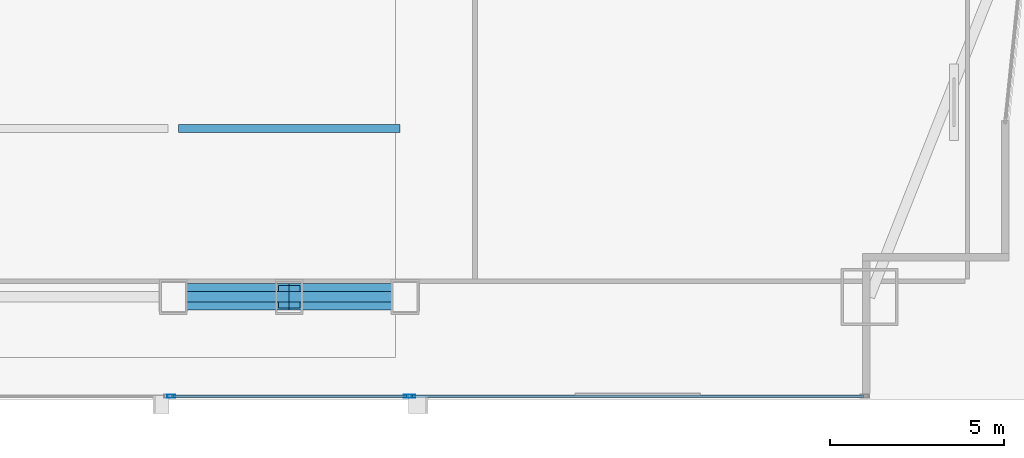
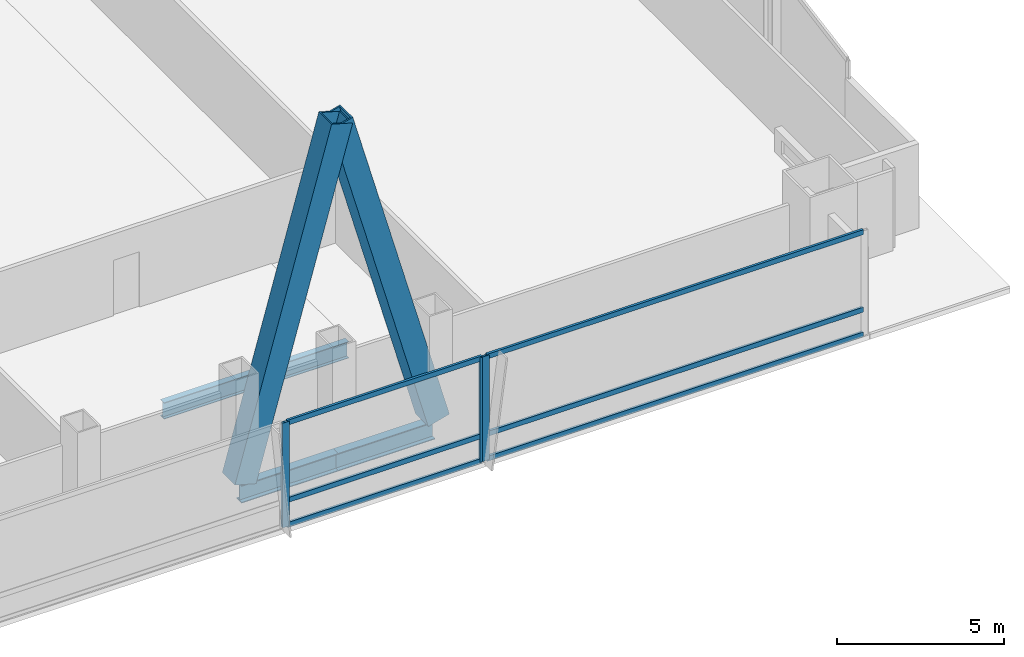
# One storey, part 14 of 35: 11 members, 3 beams, 2 elements without a shape of their own.
"""IFC4 building model written with IfcOpenShell, lengths in metres."""

from ifc_helpers import new_model, si_unit, direction, frame, origin, origin_2d, place, context, subcontext, project, spatial, hollow_rectangle, i_section, extrude, material, material_profile, profile_set, type_object, element, aggregate, save


model = new_model("IFC4")

# Units and contexts
model_context = context("Model", 3, precision=1e-05, world=origin(), true_north=direction((0.0, 1.0)))
body_context = subcontext(model_context, "Body", "Model", "MODEL_VIEW")
ifc_project = project(units=[si_unit("LENGTHUNIT", "METRE"), si_unit("AREAUNIT", "SQUARE_METRE"), si_unit("VOLUMEUNIT", "CUBIC_METRE"), si_unit("PLANEANGLEUNIT", "RADIAN"), si_unit("MASSUNIT", "GRAM", prefix="KILO")], contexts=[model_context])

# Site, building, storey
site_placement = place(None, origin())
site = spatial("IfcSite", under=ifc_project, at=site_placement, CompositionType="ELEMENT")
building_placement = place(site_placement, origin())
building = spatial("IfcBuilding", under=site, at=building_placement, Name="Khoronbel Lancet Exchange", CompositionType="ELEMENT")
storey_placement = place(building_placement, frame((0.0, 0.0, 25.800048828125)))
storey = spatial("IfcBuildingStorey", under=building, at=storey_placement, Name="L05", CompositionType="ELEMENT", Elevation=25.800048828125)

# Beams
ifc_material_1 = material(Name="Steel S355", Category="steel")
ifc_material_profile_1 = material_profile(ifc_material_1, i_section(OverallWidth=0.219970703125, OverallDepth=0.60009765625, WebThickness=0.011962890625, FlangeThickness=0.01904296875, at=origin_2d()), Name="IPE 600")
ifc_profile_set_1 = profile_set([ifc_material_profile_1], Name="Steel S355")
beam_type_1 = type_object("IfcBeamType", Name="BM-BJ1", PredefinedType="JOIST", material=ifc_profile_set_1)
beam_1_placement = place(storey_placement, frame((48.14990234375, 15.0, -0.47998046875), z_axis=(1.0, 0.0, 0.0), x_axis=(0.0, 1.0, 0.0)))
element("IfcBeam", 1, at=beam_1_placement, inside=storey, type_object=beam_type_1, Name="Level L05 secondary composite joist J05", PredefinedType="JOIST", context=body_context, shape_type="SweptSolid", body=[
    extrude(i_section(OverallWidth=0.219970703125, OverallDepth=0.60009765625, WebThickness=0.011962890625, FlangeThickness=0.01904296875, at=origin_2d()), origin(), (0.0, 0.0, 1.0), 6.375),
])
ifc_material_profile_2 = material_profile(ifc_material_1, i_section(OverallWidth=0.300048828125, OverallDepth=0.64990234375, WebThickness=0.01611328125, FlangeThickness=0.031005859375, at=origin_2d()), Name="HEB 650")
ifc_profile_set_2 = profile_set([ifc_material_profile_2], Name="Steel S355")
beam_type_2 = type_object("IfcBeamType", Name="BM-BSP1", PredefinedType="SPANDREL", material=ifc_profile_set_2)
beam_2_placement = place(storey_placement, frame((48.0, 10.14990234375, -0.505126953125), z_axis=(1.0, 0.0, 0.0), x_axis=(0.0, 1.0, 0.0)))
element("IfcBeam", 2, at=beam_2_placement, inside=storey, type_object=beam_type_2, Name="Level L05 perimeter spandrel beam SP06", PredefinedType="SPANDREL", context=body_context, shape_type="SweptSolid", body=[
    extrude(i_section(OverallWidth=0.300048828125, OverallDepth=0.64990234375, WebThickness=0.01611328125, FlangeThickness=0.031005859375, at=origin_2d()), origin(), (0.0, 0.0, 1.0), 3.33740234375),
])
beam_3_placement = place(storey_placement, frame((51.33740234375, 10.14990234375, -0.505126953125), z_axis=(1.0, 0.0, 0.0), x_axis=(0.0, 1.0, 0.0)))
element("IfcBeam", 3, at=beam_3_placement, inside=storey, type_object=beam_type_2, Name="Level L05 perimeter spandrel beam SP07", PredefinedType="SPANDREL", context=body_context, shape_type="SweptSolid", body=[
    extrude(i_section(OverallWidth=0.300048828125, OverallDepth=0.64990234375, WebThickness=0.01611328125, FlangeThickness=0.031005859375, at=origin_2d()), origin(), (0.0, 0.0, 1.0), 3.337646484375),
])

# Curtain wall, members
ifc_material_2 = material(Name="Low-E Solar Control Insulating Glass", Category="glass")
curtain_wall_type = type_object("IfcCurtainWallType", Name="CW-1", PredefinedType="NOTDEFINED", material=ifc_material_2)
curtain_wall_1_placement = place(storey_placement, origin())
curtain_wall_1 = element("IfcCurtainWall", 4, at=curtain_wall_1_placement, inside=storey, type_object=curtain_wall_type, Name="Unitised curtain wall CW-L05-SEB", PredefinedType="NOTDEFINED")
ifc_material_3 = material(Name="Bronze-Anodised Aluminium 6063-T6", Category="aluminium")
ifc_material_profile_3 = material_profile(ifc_material_3, hollow_rectangle(XDim=0.0849609375, YDim=0.239990234375, WallThickness=0.006103515625, at=origin_2d()), Name="ALU MULLION 85x240")
ifc_profile_set_3 = profile_set([ifc_material_profile_3], Name="Bronze-Anodised Aluminium 6063-T6")
member_type_1 = type_object("IfcMemberType", Name="MEM-CWM1", PredefinedType="MULLION", material=ifc_profile_set_3)
member_1_placement = place(storey_placement, frame((47.9423828125, 7.2900390625, 0.0), z_axis=(0.0, 0.0, 1.0), x_axis=(0.0, 1.0, 0.0)))
member_1 = element("IfcMember", 5, at=member_1_placement, type_object=member_type_1, Name="CW1 mullion 1", PredefinedType="MULLION", context=body_context, shape_type="SweptSolid", body=[
    extrude(hollow_rectangle(XDim=0.0849609375, YDim=0.239990234375, WallThickness=0.006103515625, at=origin_2d()), origin(), (0.0, 0.0, 1.0), 3.820068359375),
])
member_2_placement = place(storey_placement, frame((54.757568359375, 7.2900390625, 0.0), z_axis=(0.0, 0.0, 1.0), x_axis=(0.0, 1.0, 0.0)))
member_2 = element("IfcMember", 6, at=member_2_placement, type_object=member_type_1, Name="CW1 mullion 2", PredefinedType="MULLION", context=body_context, shape_type="SweptSolid", body=[
    extrude(hollow_rectangle(XDim=0.0849609375, YDim=0.239990234375, WallThickness=0.006103515625, at=origin_2d()), origin(), (0.0, 0.0, 1.0), 3.820068359375),
])

# Curtain wall, member
curtain_wall_2_placement = place(storey_placement, origin())
curtain_wall_2 = element("IfcCurtainWall", 7, at=curtain_wall_2_placement, inside=storey, type_object=curtain_wall_type, Name="Unitised curtain wall CW-L05-SEV", PredefinedType="NOTDEFINED")
member_3_placement = place(storey_placement, frame((54.842529296875, 7.2900390625, 0.0), z_axis=(0.0, 0.0, 1.0), x_axis=(0.0, 1.0, 0.0)))
member_3 = element("IfcMember", 8, at=member_3_placement, type_object=member_type_1, Name="CW1 mullion 1", PredefinedType="MULLION", context=body_context, shape_type="SweptSolid", body=[
    extrude(hollow_rectangle(XDim=0.0849609375, YDim=0.239990234375, WallThickness=0.006103515625, at=origin_2d()), origin(), (0.0, 0.0, 1.0), 3.820068359375),
])

# Member
ifc_material_profile_4 = material_profile(ifc_material_3, hollow_rectangle(XDim=0.0849609375, YDim=0.179931640625, WallThickness=0.0048828125, at=origin_2d()), Name="ALU TRANSOM 85x180")
ifc_profile_set_4 = profile_set([ifc_material_profile_4], Name="Bronze-Anodised Aluminium 6063-T6")
member_type_2 = type_object("IfcMemberType", Name="MEM-CWT1", PredefinedType="USERDEFINED", material=ifc_profile_set_4)
member_4_placement = place(storey_placement, frame((47.985107421875, 7.2900390625, 0.04248046875), z_axis=(1.0, 0.0, 0.0), x_axis=(0.0, 1.0, 0.0)))
member_4 = element("IfcMember", 9, at=member_4_placement, type_object=member_type_2, Name="CW1 transom 1.1", ObjectType="TRANSOM", PredefinedType="USERDEFINED", context=body_context, shape_type="SweptSolid", body=[
    extrude(hollow_rectangle(XDim=0.0849609375, YDim=0.179931640625, WallThickness=0.0048828125, at=origin_2d()), origin(), (0.0, 0.0, 1.0), 6.72998046875),
])

member_5_placement = place(storey_placement, frame((47.985107421875, 7.2900390625, 0.949951171875), z_axis=(1.0, 0.0, 0.0), x_axis=(0.0, 1.0, 0.0)))
member_5 = element("IfcMember", 10, at=member_5_placement, type_object=member_type_2, Name="CW1 transom 1.2", ObjectType="TRANSOM", PredefinedType="USERDEFINED", context=body_context, shape_type="SweptSolid", body=[
    extrude(hollow_rectangle(XDim=0.0849609375, YDim=0.179931640625, WallThickness=0.0048828125, at=origin_2d()), origin(), (0.0, 0.0, 1.0), 6.72998046875),
])

member_6_placement = place(storey_placement, frame((47.985107421875, 7.2900390625, 3.77734375), z_axis=(1.0, 0.0, 0.0), x_axis=(0.0, 1.0, 0.0)))
member_6 = element("IfcMember", 11, at=member_6_placement, type_object=member_type_2, Name="CW1 transom 1.3", ObjectType="TRANSOM", PredefinedType="USERDEFINED", context=body_context, shape_type="SweptSolid", body=[
    extrude(hollow_rectangle(XDim=0.0849609375, YDim=0.179931640625, WallThickness=0.0048828125, at=origin_2d()), origin(), (0.0, 0.0, 1.0), 6.72998046875),
])

aggregate(curtain_wall_1, [member_1, member_2, member_4, member_5, member_6])

member_7_placement = place(storey_placement, frame((54.885009765625, 7.2900390625, 0.04248046875), z_axis=(1.0, 0.0, 0.0), x_axis=(0.0, 1.0, 0.0)))
member_7 = element("IfcMember", 12, at=member_7_placement, type_object=member_type_2, Name="CW1 transom 1.1", ObjectType="TRANSOM", PredefinedType="USERDEFINED", context=body_context, shape_type="SweptSolid", body=[
    extrude(hollow_rectangle(XDim=0.0849609375, YDim=0.179931640625, WallThickness=0.0048828125, at=origin_2d()), origin(), (0.0, 0.0, 1.0), 12.989990234375),
])

member_8_placement = place(storey_placement, frame((54.885009765625, 7.2900390625, 0.949951171875), z_axis=(1.0, 0.0, 0.0), x_axis=(0.0, 1.0, 0.0)))
member_8 = element("IfcMember", 13, at=member_8_placement, type_object=member_type_2, Name="CW1 transom 1.2", ObjectType="TRANSOM", PredefinedType="USERDEFINED", context=body_context, shape_type="SweptSolid", body=[
    extrude(hollow_rectangle(XDim=0.0849609375, YDim=0.179931640625, WallThickness=0.0048828125, at=origin_2d()), origin(), (0.0, 0.0, 1.0), 12.989990234375),
])

member_9_placement = place(storey_placement, frame((54.885009765625, 7.2900390625, 3.77734375), z_axis=(1.0, 0.0, 0.0), x_axis=(0.0, 1.0, 0.0)))
member_9 = element("IfcMember", 14, at=member_9_placement, type_object=member_type_2, Name="CW1 transom 1.3", ObjectType="TRANSOM", PredefinedType="USERDEFINED", context=body_context, shape_type="SweptSolid", body=[
    extrude(hollow_rectangle(XDim=0.0849609375, YDim=0.179931640625, WallThickness=0.0048828125, at=origin_2d()), origin(), (0.0, 0.0, 1.0), 12.989990234375),
])

aggregate(curtain_wall_2, [member_3, member_7, member_8, member_9])

# Members
ifc_material_4 = material(Name="Steel S460", Category="steel")
ifc_material_profile_5 = material_profile(ifc_material_4, hollow_rectangle(XDim=0.760009765625, YDim=0.760009765625, WallThickness=0.054931640625, at=origin_2d()), Name="BOX 760x760x55")
ifc_profile_set_5 = profile_set([ifc_material_profile_5], Name="Steel S460")
member_type_3 = type_object("IfcMemberType", Name="MEM-MB1", PredefinedType="BRACE", material=ifc_profile_set_5)
for number, where, z_axis, x_axis, name in (
    (15, (48.0, 10.14990234375, 0.0), (0.267947134133, 0.0, 0.963433616452), (0.0, 1.0, 0.0), "Perimeter lancet brace tier 1 S-E-L"),
    (16, (54.675048828125, 10.14990234375, 0.0), (-0.267965327822, 0.0, 0.963428556295), (0.0, -1.0, 0.0), "Perimeter lancet brace tier 1 S-E-R"),
):
    element("IfcMember", number, at=place(storey_placement, frame(where, z_axis=z_axis, x_axis=x_axis)), inside=storey, type_object=member_type_3, Name=name, PredefinedType="BRACE", context=body_context, shape_type="SweptSolid", body=[
        extrude(hollow_rectangle(XDim=0.760009765625, YDim=0.760009765625, WallThickness=0.054931640625, at=origin_2d()), origin(), (0.0, 0.0, 1.0), 12.45556640625),
    ])

save(model, "model.ifc")
